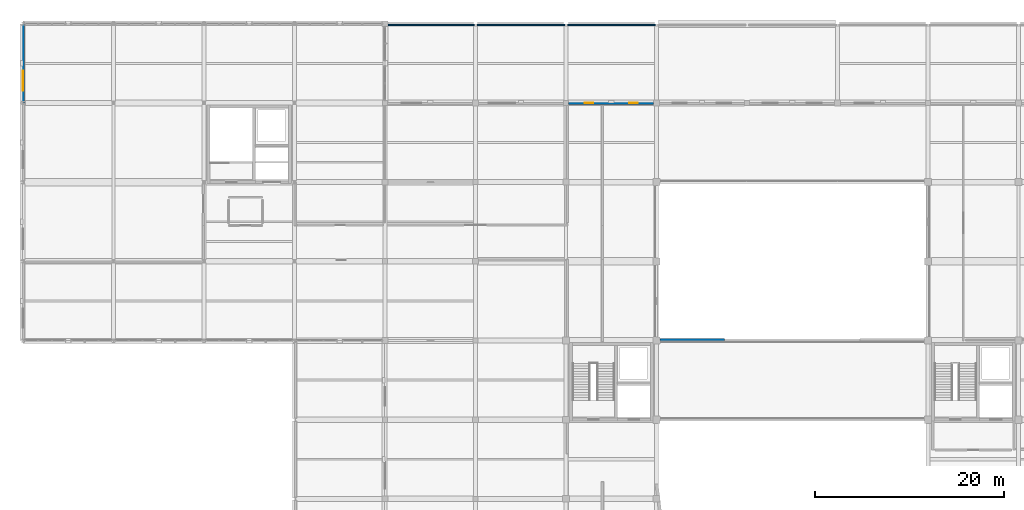
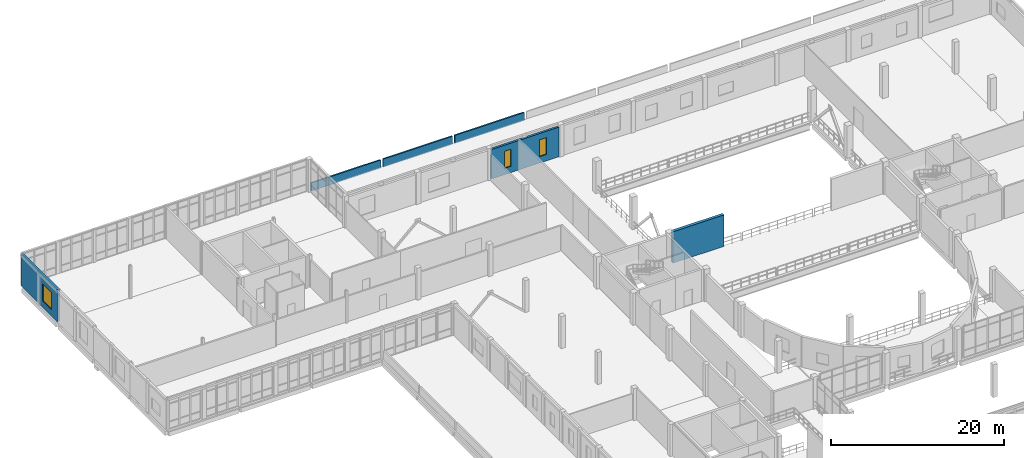
# One storey, part 77 of 88: 6 walls, 3 windows, 3 openings.
"""IFC4 building model written with IfcOpenShell, lengths in metres."""

import ifcopenshell
import ifcopenshell.guid

model = None  # the IFC model being written
_history = None  # IfcOwnerHistory: only IFC2X3 demands one
_inside = {}  # id of a spatial element -> (the spatial element, [elements in it])
_under = {}  # id of a project, library or spatial element -> (it, [spatial elements below it])
_declared = {}  # id of a project -> (the project, [libraries it declares])
_typed = {}  # id of a type object -> (the type object, [elements of that type])
_made_of = {}  # id of a material, layer set ... -> (it, [elements and type objects made of it])


def new_model(schema):
    """Start an empty IFC model of exactly this schema.

    Asked for "IFC4X3", IfcOpenShell would pick the latest addendum, in which some entities
    have other attributes; the version numbers below select the first issue.
    IFC2X3 requires an IfcOwnerHistory on every rooted entity: one is made here for all.
    """
    global model, _history
    if schema == "IFC4X3":
        model = ifcopenshell.file(schema_version=(4, 3, 0, 0))
    else:
        model = ifcopenshell.file(schema=schema)
    _inside.clear()
    _under.clear()
    _declared.clear()
    _typed.clear()
    _made_of.clear()
    _history = None
    if model.schema == "IFC2X3":
        org = make("IfcOrganization", Name="unknown")
        user = make(
            "IfcPersonAndOrganization",
            ThePerson=make("IfcPerson", FamilyName="unknown"),
            TheOrganization=org,
        )
        app = make(
            "IfcApplication",
            ApplicationDeveloper=org,
            Version="unknown",
            ApplicationFullName="unknown",
            ApplicationIdentifier="unknown",
        )
        _history = make(
            "IfcOwnerHistory",
            OwningUser=user,
            OwningApplication=app,
            ChangeAction="ADDED",
            CreationDate=0,
        )
    return model


def make(cls, **values):
    """One entity of the class cls with the attributes given. An attribute that is None is left unset."""
    return model.create_entity(
        cls, **{name: value for name, value in values.items() if value is not None}
    )


def rooted(cls, **values):
    """An entity with a GlobalId (a new one), such as an element, a storey or a relation."""
    return make(cls, GlobalId=ifcopenshell.guid.new(), OwnerHistory=_history, **values)


def si_unit(unit_type, name, prefix=None):
    """IfcSIUnit, for example si_unit("LENGTHUNIT", "METRE", prefix="MILLI")."""
    return make("IfcSIUnit", UnitType=unit_type, Prefix=prefix, Name=name)


def assignment(units):
    """IfcUnitAssignment: the units of a project."""
    return None if units is None else make("IfcUnitAssignment", Units=units)


def point(xyz):
    """IfcCartesianPoint."""
    return None if xyz is None else make("IfcCartesianPoint", Coordinates=xyz)


def direction(xyz):
    """IfcDirection."""
    return None if xyz is None else make("IfcDirection", DirectionRatios=xyz)


def frame(location, z_axis=None, x_axis=None):
    """IfcAxis2Placement3D, a coordinate frame: its origin and axes. An axis left out is left unset."""
    return make(
        "IfcAxis2Placement3D",
        Location=point(location),
        Axis=direction(z_axis),
        RefDirection=direction(x_axis),
    )


def frame_2d(location, x_axis=None):
    """IfcAxis2Placement2D, a coordinate frame in the plane: its origin and x axis."""
    return make(
        "IfcAxis2Placement2D", Location=point(location), RefDirection=direction(x_axis)
    )


def origin():
    """The frame at (0, 0, 0) with its axes left unset."""
    return frame((0.0, 0.0, 0.0))


def place(relative_to, where):
    """IfcLocalPlacement: puts the frame where relative to a parent placement (None: the world)."""
    return make(
        "IfcLocalPlacement", PlacementRelTo=relative_to, RelativePlacement=where
    )


def context(
    kind, dimensions, precision=None, world=None, true_north=None, identifier=None
):
    """IfcGeometricRepresentationContext, for example the 3D "Model" context."""
    return make(
        "IfcGeometricRepresentationContext",
        ContextIdentifier=identifier,
        ContextType=kind,
        CoordinateSpaceDimension=dimensions,
        Precision=precision,
        WorldCoordinateSystem=world,
        TrueNorth=true_north,
    )


def subcontext(parent, identifier, kind, view, scale=None):
    """IfcGeometricRepresentationSubContext, for example "Body" below "Model"."""
    return make(
        "IfcGeometricRepresentationSubContext",
        ContextIdentifier=identifier,
        ContextType=kind,
        ParentContext=parent,
        TargetScale=scale,
        TargetView=view,
    )


def project(units=None, contexts=None):
    """IfcProject with its units and contexts."""
    return rooted(
        "IfcProject",
        Name="project",
        RepresentationContexts=contexts,
        UnitsInContext=assignment(units),
    )


def spatial(cls, under=None, at=None, **own):
    """A site, building, storey or space (cls), placed at a placement, below another one or the project."""
    s = rooted(cls, ObjectPlacement=at, **own)
    if under is not None:
        _under.setdefault(under.id(), (under, []))[1].append(s)
    return s


def profile(cls, at=None, kind="AREA", **sizes):
    """A parametric profile (cls). Its sizes go by their IFC names, for example OverallWidth=200.0."""
    return make(cls, ProfileType=kind, Position=at, **sizes)


def rectangle(**sizes):
    """IfcRectangleProfileDef."""
    return profile("IfcRectangleProfileDef", **sizes)


def extrude(swept, where, along, depth):
    """IfcExtrudedAreaSolid: the profile swept, set in the frame where, extruded along a direction by depth."""
    return make(
        "IfcExtrudedAreaSolid",
        SweptArea=swept,
        Position=where,
        ExtrudedDirection=direction(along),
        Depth=depth,
    )


def shape(context_of_items, identifier, shape_type, items):
    """IfcShapeRepresentation: the items that make up one representation, for example the "Body"."""
    return make(
        "IfcShapeRepresentation",
        ContextOfItems=context_of_items,
        RepresentationIdentifier=identifier,
        RepresentationType=shape_type,
        Items=items,
    )


def material(Name=None, Category=None):
    """IfcMaterial."""
    return make("IfcMaterial", Name=Name, Category=Category)


def layer(
    of_material, thickness, ventilated=None, Name=None, Category=None, Priority=None
):
    """IfcMaterialLayer: one layer of a wall or slab, of a material (None: an air gap)."""
    return make(
        "IfcMaterialLayer",
        Material=of_material,
        LayerThickness=thickness,
        IsVentilated=ventilated,
        Name=Name,
        Category=Category,
        Priority=Priority,
    )


def layer_set(layers, Name=None):
    """IfcMaterialLayerSet."""
    return make("IfcMaterialLayerSet", MaterialLayers=layers, LayerSetName=Name)


def made_of(thing, what):
    """Note that an element or type object is made of a material, layer set ...; save() writes the relation."""
    if what is not None:
        _made_of.setdefault(what.id(), (what, []))[1].append(thing)
    return thing


def type_object(cls, material=None, **own):
    """A type object (cls), such as IfcWallType, which elements share."""
    return made_of(rooted(cls, **own), material)


def element(
    cls,
    number,
    at=None,
    inside=None,
    cuts=None,
    type_object=None,
    material=None,
    context=None,
    identifier="Body",
    shape_type=None,
    held_by="IfcProductDefinitionShape",
    body=None,
    shapes=None,
    **own,
):
    """One element of the class cls, such as IfcWall. Its Tag is "e" and its number.

    at: its placement. inside: the storey or other place that contains it. cuts: it is an
    opening in that element (IfcRelVoidsElement). A single representation is given by context,
    identifier, shape_type and body (its items); several are given by shapes. held_by: the class
    of the entity that holds the representations. save() writes the other relations.
    """
    e = rooted(cls, Tag="e%d" % number, ObjectPlacement=at, **own)
    if body is not None:
        shapes = [shape(context, identifier, shape_type, body)]
    if shapes is not None:
        e.Representation = make(held_by, Representations=shapes)
    if inside is not None:
        _inside.setdefault(inside.id(), (inside, []))[1].append(e)
    if cuts is not None:
        rooted(
            "IfcRelVoidsElement", RelatingBuildingElement=cuts, RelatedOpeningElement=e
        )
    if type_object is not None:
        _typed.setdefault(type_object.id(), (type_object, []))[1].append(e)
    return made_of(e, material)


def fill(opening, filler):
    """IfcRelFillsElement: the door or window that sits in an opening."""
    return rooted(
        "IfcRelFillsElement",
        RelatingOpeningElement=opening,
        RelatedBuildingElement=filler,
    )


def aggregate(whole, parts):
    """IfcRelAggregates: a whole, such as a stair, and the parts it consists of."""
    return rooted("IfcRelAggregates", RelatingObject=whole, RelatedObjects=parts)


def save(model, path):
    """Write the relations noted so far, then the file.

    IfcRelAggregates (storeys below a building ...), IfcRelContainedInSpatialStructure (elements
    in a storey), IfcRelDefinesByType, IfcRelAssociatesMaterial and IfcRelDeclares: one each for
    every whole, place, type object, material and project.
    """
    for whole, parts in _under.values():
        aggregate(whole, parts)
    for where, things in _inside.values():
        rooted(
            "IfcRelContainedInSpatialStructure",
            RelatedElements=things,
            RelatingStructure=where,
        )
    for kind, things in _typed.values():
        rooted("IfcRelDefinesByType", RelatedObjects=things, RelatingType=kind)
    for what, things in _made_of.values():
        rooted("IfcRelAssociatesMaterial", RelatedObjects=things, RelatingMaterial=what)
    for by, libraries in _declared.values():
        rooted("IfcRelDeclares", RelatingContext=by, RelatedDefinitions=libraries)
    model.write(path)


model = new_model("IFC4")

# Units and contexts
model_context = context("Model", 3, precision=1e-05, world=origin(), true_north=direction((0.0, 1.0)))
body_context = subcontext(model_context, "Body", "Model", "MODEL_VIEW")
ifc_project = project(units=[si_unit("LENGTHUNIT", "METRE"), si_unit("AREAUNIT", "SQUARE_METRE"), si_unit("VOLUMEUNIT", "CUBIC_METRE"), si_unit("PLANEANGLEUNIT", "RADIAN"), si_unit("MASSUNIT", "GRAM", prefix="KILO")], contexts=[model_context])

# Site, building, storey
site_placement = place(None, origin())
site = spatial("IfcSite", under=ifc_project, at=site_placement, CompositionType="ELEMENT")
building_placement = place(site_placement, origin())
building = spatial("IfcBuilding", under=site, at=building_placement, Name="Lornevale Opera House", CompositionType="ELEMENT")
storey_placement = place(building_placement, frame((0.0, 0.0, 10.199951171875)))
storey = spatial("IfcBuildingStorey", under=building, at=storey_placement, Name="L03", CompositionType="ELEMENT", Elevation=10.199951171875)

# Walls
ifc_material_1 = material(Name="Precast Concrete 40 MPa (CSA A23.1 C-1)", Category="concrete")
ifc_layer_1 = layer(ifc_material_1, 0.195068359375)
ifc_layer_set_1 = layer_set([ifc_layer_1], Name="Precast Concrete 40 MPa (CSA A23.1 C-1)")
wall_type_1 = type_object("IfcWallType", Name="Green Roof Parapet Wall 195", PredefinedType="PARAPET", material=ifc_layer_set_1)
for number, where, z_axis, x_axis, name in (
    (1, (57.760009765625, 100.669921875, 0.0), (0.0, 0.0, 1.0), (1.0, 0.0, 0.0), "Green Roof Parapet Wall 195 0403"),
    (2, (38.56005859375, 100.669921875, 0.0), (0.0, 0.0, 1.0), (1.0, 0.0, 0.0), "Green Roof Parapet Wall 195 0411"),
    (3, (48.159912109375, 100.669921875, 0.0), (0.0, 0.0, 1.0), (1.0, 0.0, 0.0), "Green Roof Parapet Wall 195 0412"),
):
    element("IfcWall", number, at=place(storey_placement, frame(where, z_axis=z_axis, x_axis=x_axis)), inside=storey, type_object=wall_type_1, Name=name, PredefinedType="PARAPET", context=body_context, shape_type="SweptSolid", body=[
        extrude(rectangle(XDim=9.280029296875, YDim=0.195068359375, at=frame_2d((4.64013671875, 0.0))), origin(), (0.0, 0.0, 1.0), 1.150146484375),
    ])
ifc_material_2 = material(Name="Concrete 40 MPa (CSA A23.1 C-1)", Category="concrete")
ifc_layer_2 = layer(ifc_material_2, 0.39990234375)
ifc_layer_set_2 = layer_set([ifc_layer_2], Name="Concrete 40 MPa (CSA A23.1 C-1)")
wall_type_2 = type_object("IfcWallType", Name="Proscenium Fire Wall 400", PredefinedType="SOLIDWALL", material=ifc_layer_set_2)
wall_1_placement = place(storey_placement, frame((67.550048828125, 67.199951171875, 0.0), z_axis=(0.0, 0.0, 1.0), x_axis=(1.0, 0.0, 0.0)))
element("IfcWall", 4, at=wall_1_placement, inside=storey, type_object=wall_type_2, Name="Proscenium Fire Wall L03 0370", PredefinedType="SOLIDWALL", context=body_context, shape_type="SweptSolid", body=[
    extrude(rectangle(XDim=6.849853515625, YDim=0.39990234375, at=frame_2d((3.4248046875, 0.0))), origin(), (0.0, 0.0, 1.0), 4.43994140625),
])

# Wall, opening, window
ifc_material_3 = material(Name="Queenston Buff Limestone Ashlar Masonry (25 MPa)", Category="masonry")
ifc_layer_3 = layer(ifc_material_3, 0.31005859375)
ifc_layer_set_3 = layer_set([ifc_layer_3], Name="Queenston Buff Limestone Ashlar Masonry (25 MPa)")
wall_type_3 = type_object("IfcWallType", Name="Rehearsal Pavilion Limestone Wall 310", PredefinedType="SOLIDWALL", material=ifc_layer_set_3)
wall_2_placement = place(storey_placement, frame((0.0, 92.419921875, 0.0), z_axis=(0.0, 0.0, 1.0), x_axis=(0.0, 1.0, 0.0)))
wall_2 = element("IfcWall", 5, at=wall_2_placement, inside=storey, type_object=wall_type_3, Name="Rehearsal Pavilion Limestone Wall 310 WL-EXT-0224", PredefinedType="SOLIDWALL", context=body_context, shape_type="SweptSolid", body=[
    extrude(rectangle(XDim=8.360107421875, YDim=0.31005859375, at=frame_2d((4.18017578125, 0.0))), origin(), (0.0, 0.0, 1.0), 4.5400390625),
])
opening_1_placement = place(wall_2_placement, frame((1.291015625, 0.0, 0.89990234375)))
opening_1 = element("IfcOpeningElement", 6, at=opening_1_placement, cuts=wall_2, Name="Opening WN-T04", PredefinedType="OPENING", context=body_context, shape_type="SweptSolid", body=[
    extrude(rectangle(XDim=2.10009765625, YDim=2.39990234375, at=frame_2d((1.050048828125, 1.199951171875))), frame((0.0, 0.1650390625, 0.0), z_axis=(0.0, -1.0, 0.0), x_axis=(1.0, 0.0, 0.0)), (0.0, 0.0, 1.0), 0.330078125),
])
ifc_material_4 = material(Name="Triple Low-E Insulated Glazing", Category="glass")
ifc_layer_4 = layer(ifc_material_4, 0.06005859375)
ifc_layer_set_4 = layer_set([ifc_layer_4], Name="Triple Low-E Insulated Glazing")
window_type_1 = type_object("IfcWindowType", Name="Punched Deep-Reveal Window 2100x2400", PartitioningType="NOTDEFINED", PredefinedType="WINDOW", material=ifc_layer_set_4)
window_1_placement = place(opening_1_placement, origin())
window_1 = element("IfcWindow", 7, at=window_1_placement, inside=storey, type_object=window_type_1, Name="Punched Deep-Reveal Window 2100x2400 WN-0068", OverallHeight=2.39990234375, OverallWidth=2.10009765625, PartitioningType="SINGLE_PANEL", PredefinedType="WINDOW", context=body_context, shape_type="SweptSolid", body=[
    extrude(rectangle(XDim=2.10009765625, YDim=2.39990234375, at=frame_2d((1.050048828125, 1.199951171875))), frame((0.0, 0.030029296875, 0.0), z_axis=(0.0, -1.0, 0.0), x_axis=(1.0, 0.0, 0.0)), (0.0, 0.0, 1.0), 0.06005859375),
])
fill(opening_1, window_1)

# Wall, openings, windows
ifc_layer_5 = layer(ifc_material_1, 0.2900390625)
ifc_layer_set_5 = layer_set([ifc_layer_5], Name="Precast Concrete 40 MPa (CSA A23.1 C-1)")
wall_type_4 = type_object("IfcWallType", Name="Workshop Insulated Precast Wall 290", PredefinedType="SOLIDWALL", material=ifc_layer_set_5)
wall_3_placement = place(storey_placement, frame((57.875, 92.39990234375, 0.0), z_axis=(0.0, 0.0, 1.0), x_axis=(1.0, 0.0, 0.0)))
wall_3 = element("IfcWall", 8, at=wall_3_placement, inside=storey, type_object=wall_type_4, Name="Workshop Insulated Precast Wall 290 WL-EXT-0232", PredefinedType="SOLIDWALL", context=body_context, shape_type="SweptSolid", body=[
    extrude(rectangle(XDim=9.02490234375, YDim=0.2900390625, at=frame_2d((4.512451171875, 0.0))), origin(), (0.0, 0.0, 1.0), 4.177978515625),
])
opening_2_placement = place(wall_3_placement, frame((1.716064453125, 0.0, 0.89990234375)))
opening_2 = element("IfcOpeningElement", 9, at=opening_2_placement, cuts=wall_3, Name="Opening WN-T15", PredefinedType="OPENING", context=body_context, shape_type="SweptSolid", body=[
    extrude(rectangle(XDim=0.89990234375, YDim=2.39990234375, at=frame_2d((0.449951171875, 1.199951171875))), frame((0.0, 0.155029296875, 0.0), z_axis=(0.0, -1.0, 0.0), x_axis=(1.0, 0.0, 0.0)), (0.0, 0.0, 1.0), 0.31005859375),
])
opening_3_placement = place(wall_3_placement, frame((6.408935546875, 0.0, 0.89990234375)))
opening_3 = element("IfcOpeningElement", 10, at=opening_3_placement, cuts=wall_3, Name="Opening WN-T15", PredefinedType="OPENING", context=body_context, shape_type="SweptSolid", body=[
    extrude(rectangle(XDim=0.89990234375, YDim=2.39990234375, at=frame_2d((0.449951171875, 1.199951171875))), frame((0.0, 0.155029296875, 0.0), z_axis=(0.0, -1.0, 0.0), x_axis=(1.0, 0.0, 0.0)), (0.0, 0.0, 1.0), 0.31005859375),
])
ifc_layer_6 = layer(ifc_material_4, 0.06005859375)
ifc_layer_set_6 = layer_set([ifc_layer_6], Name="Triple Low-E Insulated Glazing")
window_type_2 = type_object("IfcWindowType", Name="Archive Slit Window 900x2400", PartitioningType="NOTDEFINED", PredefinedType="WINDOW", material=ifc_layer_set_6)
window_2_placement = place(opening_2_placement, origin())
window_2 = element("IfcWindow", 11, at=window_2_placement, inside=storey, type_object=window_type_2, Name="Archive Slit Window 900x2400 WN-0078", OverallHeight=2.39990234375, OverallWidth=0.89990234375, PartitioningType="SINGLE_PANEL", PredefinedType="WINDOW", context=body_context, shape_type="SweptSolid", body=[
    extrude(rectangle(XDim=0.89990234375, YDim=2.39990234375, at=frame_2d((0.449951171875, 1.199951171875))), frame((0.0, 0.030029296875, 0.0), z_axis=(0.0, -1.0, 0.0), x_axis=(1.0, 0.0, 0.0)), (0.0, 0.0, 1.0), 0.06005859375),
])
fill(opening_2, window_2)
window_3_placement = place(opening_3_placement, origin())
window_3 = element("IfcWindow", 12, at=window_3_placement, inside=storey, type_object=window_type_2, Name="Archive Slit Window 900x2400 WN-0079", OverallHeight=2.39990234375, OverallWidth=0.89990234375, PartitioningType="SINGLE_PANEL", PredefinedType="WINDOW", context=body_context, shape_type="SweptSolid", body=[
    extrude(rectangle(XDim=0.89990234375, YDim=2.39990234375, at=frame_2d((0.449951171875, 1.199951171875))), frame((0.0, 0.030029296875, 0.0), z_axis=(0.0, -1.0, 0.0), x_axis=(1.0, 0.0, 0.0)), (0.0, 0.0, 1.0), 0.06005859375),
])
fill(opening_3, window_3)

save(model, "model.ifc")
